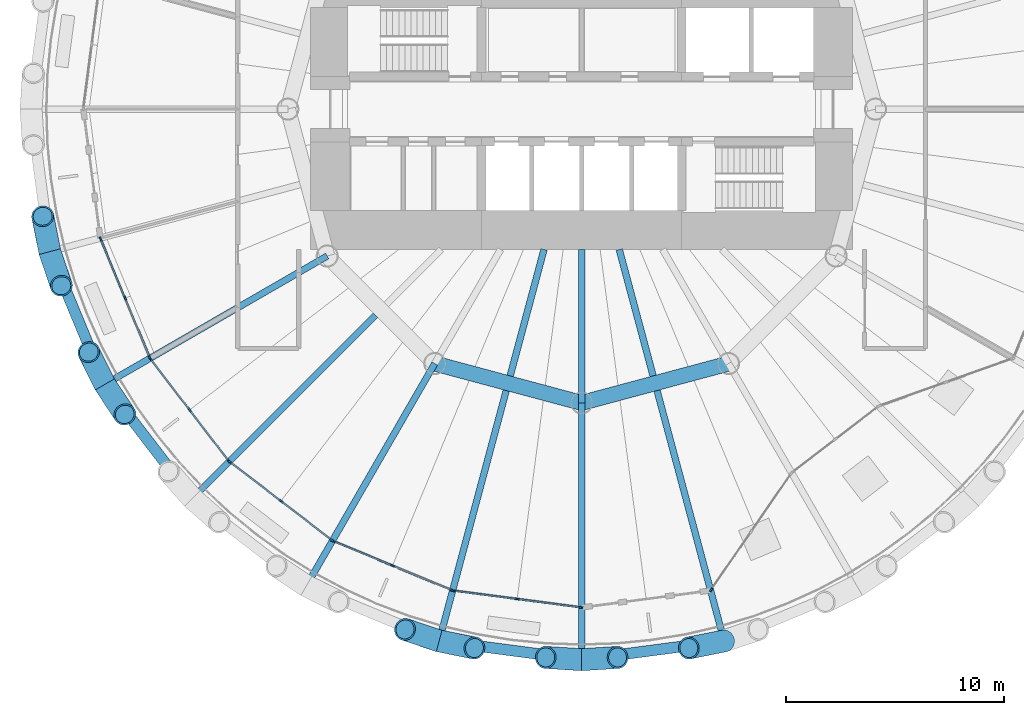
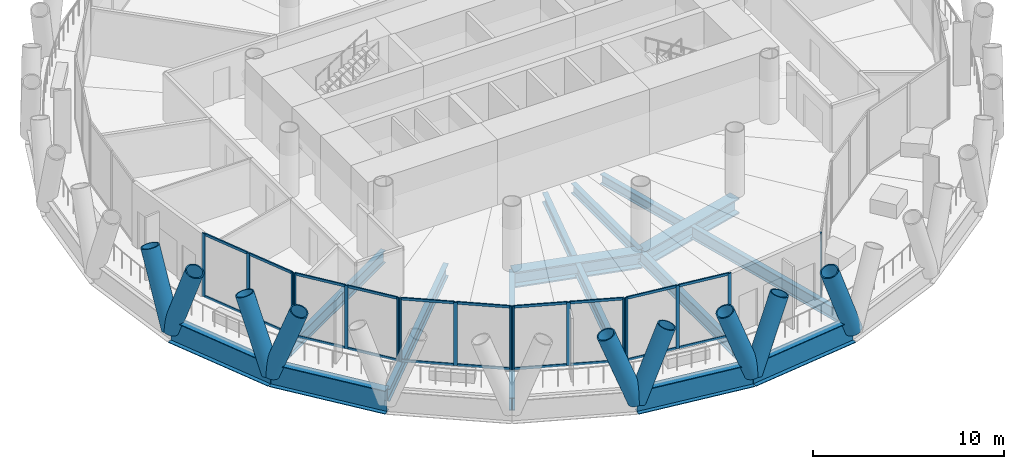
# One storey, part 2 of 15: 45 members, 15 beams, 6 elements without a shape of their own.
"""IFC4 building model written with IfcOpenShell, lengths in metres."""

from ifc_helpers import new_model, si_unit, direction, frame, origin, origin_2d, place, context, subcontext, project, spatial, rectangle, hollow_circle, i_section, extrude, material, material_profile, profile_set, type_object, element, aggregate, save


model = new_model("IFC4")

# Units and contexts
model_context = context("Model", 3, precision=1e-05, world=origin(), true_north=direction((0.0, 1.0)))
body_context = subcontext(model_context, "Body", "Model", "MODEL_VIEW")
ifc_project = project(units=[si_unit("LENGTHUNIT", "METRE"), si_unit("AREAUNIT", "SQUARE_METRE"), si_unit("VOLUMEUNIT", "CUBIC_METRE"), si_unit("PLANEANGLEUNIT", "RADIAN"), si_unit("MASSUNIT", "GRAM", prefix="KILO")], contexts=[model_context])

# Site, building, storey
site_placement = place(None, origin())
site = spatial("IfcSite", under=ifc_project, at=site_placement, CompositionType="ELEMENT")
building_placement = place(site_placement, origin())
building = spatial("IfcBuilding", under=site, at=building_placement, Name="Qaws Media Tower", CompositionType="ELEMENT")
storey_placement = place(building_placement, frame((0.0, 0.0, 110.0)))
storey = spatial("IfcBuildingStorey", under=building, at=storey_placement, Name="L24", CompositionType="ELEMENT", Elevation=110.0)

# Curtain wall, members
ifc_material_1 = material(Name="Aluminium and clear glass", Category="aluminium")
curtain_wall_type_1 = type_object("IfcCurtainWallType", Name="Unitised curtain wall CW-B", PredefinedType="NOTDEFINED", material=ifc_material_1)
curtain_wall_1_placement = place(storey_placement, origin())
curtain_wall_1 = element("IfcCurtainWall", 1, at=curtain_wall_1_placement, inside=storey, type_object=curtain_wall_type_1, Name="CWB curtain wall L24-14", PredefinedType="NOTDEFINED")
ifc_material_2 = material(Name="Aluminium mullion", Category="aluminium")
ifc_material_profile_1 = material_profile(ifc_material_2, rectangle(XDim=0.080078125, YDim=0.199951171875, at=origin_2d()), Name="80x200")
ifc_profile_set_1 = profile_set([ifc_material_profile_1], Name="Aluminium mullion")
member_type_1 = type_object("IfcMemberType", Name="Curtain wall mullion 80x200", PredefinedType="MULLION", material=ifc_profile_set_1)
member_1_placement = place(storey_placement, frame((37.8955078125, 44.0361328125, 0.0), z_axis=(0.0, 0.0, 1.0), x_axis=(0.923879575705, 0.382683328086, 0.0)))
member_1 = element("IfcMember", 2, at=member_1_placement, type_object=member_type_1, Name="CWB mullion 1", PredefinedType="MULLION", context=body_context, shape_type="SweptSolid", body=[
    extrude(rectangle(XDim=0.080078125, YDim=0.199951171875, at=origin_2d()), origin(), (0.0, 0.0, 1.0), 4.0400390625),
])
member_2_placement = place(storey_placement, frame((39.024169921875, 41.3115234375, 0.0), z_axis=(0.0, 0.0, 1.0), x_axis=(0.923879575705, 0.382683328086, 0.0)))
member_2 = element("IfcMember", 3, at=member_2_placement, type_object=member_type_1, Name="CWB mullion 2", PredefinedType="MULLION", context=body_context, shape_type="SweptSolid", body=[
    extrude(rectangle(XDim=0.080078125, YDim=0.199951171875, at=origin_2d()), origin(), (0.0, 0.0, 1.0), 4.0400390625),
])
member_3_placement = place(storey_placement, frame((40.15283203125, 38.5869140625, 0.0), z_axis=(0.0, 0.0, 1.0), x_axis=(0.923879575705, 0.382683328086, 0.0)))
member_3 = element("IfcMember", 4, at=member_3_placement, type_object=member_type_1, Name="CWB mullion 3", PredefinedType="MULLION", context=body_context, shape_type="SweptSolid", body=[
    extrude(rectangle(XDim=0.080078125, YDim=0.199951171875, at=origin_2d()), origin(), (0.0, 0.0, 1.0), 4.0400390625),
])

curtain_wall_2_placement = place(storey_placement, origin())
curtain_wall_2 = element("IfcCurtainWall", 5, at=curtain_wall_2_placement, inside=storey, type_object=curtain_wall_type_1, Name="CWB curtain wall L24-15", PredefinedType="NOTDEFINED")
member_4_placement = place(storey_placement, frame((40.1923828125, 38.518310546875, 0.0), z_axis=(0.0, 0.0, 1.0), x_axis=(0.793353278539, 0.608761509485, 0.0)))
member_4 = element("IfcMember", 6, at=member_4_placement, type_object=member_type_1, Name="CWB mullion 1", PredefinedType="MULLION", context=body_context, shape_type="SweptSolid", body=[
    extrude(rectangle(XDim=0.080078125, YDim=0.199951171875, at=origin_2d()), origin(), (0.0, 0.0, 1.0), 4.0400390625),
])
member_5_placement = place(storey_placement, frame((41.987548828125, 36.1787109375, 0.0), z_axis=(0.0, 0.0, 1.0), x_axis=(0.793353278539, 0.608761509485, 0.0)))
member_5 = element("IfcMember", 7, at=member_5_placement, type_object=member_type_1, Name="CWB mullion 2", PredefinedType="MULLION", context=body_context, shape_type="SweptSolid", body=[
    extrude(rectangle(XDim=0.080078125, YDim=0.199951171875, at=origin_2d()), origin(), (0.0, 0.0, 1.0), 4.0400390625),
])
member_6_placement = place(storey_placement, frame((43.782958984375, 33.8388671875, 0.0), z_axis=(0.0, 0.0, 1.0), x_axis=(0.793353278539, 0.608761509485, 0.0)))
member_6 = element("IfcMember", 8, at=member_6_placement, type_object=member_type_1, Name="CWB mullion 3", PredefinedType="MULLION", context=body_context, shape_type="SweptSolid", body=[
    extrude(rectangle(XDim=0.080078125, YDim=0.199951171875, at=origin_2d()), origin(), (0.0, 0.0, 1.0), 4.0400390625),
])

curtain_wall_3_placement = place(storey_placement, origin())
curtain_wall_3 = element("IfcCurtainWall", 9, at=curtain_wall_3_placement, inside=storey, type_object=curtain_wall_type_1, Name="CWB curtain wall L24-16", PredefinedType="NOTDEFINED")
member_7_placement = place(storey_placement, frame((43.8388671875, 33.782958984375, 0.0), z_axis=(0.0, 0.0, 1.0), x_axis=(0.608761509485, 0.793353278539, 0.0)))
member_7 = element("IfcMember", 10, at=member_7_placement, type_object=member_type_1, Name="CWB mullion 1", PredefinedType="MULLION", context=body_context, shape_type="SweptSolid", body=[
    extrude(rectangle(XDim=0.080078125, YDim=0.199951171875, at=origin_2d()), origin(), (0.0, 0.0, 1.0), 4.0400390625),
])
member_8_placement = place(storey_placement, frame((46.1787109375, 31.987548828125, 0.0), z_axis=(0.0, 0.0, 1.0), x_axis=(0.608761509485, 0.793353278539, 0.0)))
member_8 = element("IfcMember", 11, at=member_8_placement, type_object=member_type_1, Name="CWB mullion 2", PredefinedType="MULLION", context=body_context, shape_type="SweptSolid", body=[
    extrude(rectangle(XDim=0.080078125, YDim=0.199951171875, at=origin_2d()), origin(), (0.0, 0.0, 1.0), 4.0400390625),
])
member_9_placement = place(storey_placement, frame((48.518310546875, 30.1923828125, 0.0), z_axis=(0.0, 0.0, 1.0), x_axis=(0.608761509485, 0.793353278539, 0.0)))
member_9 = element("IfcMember", 12, at=member_9_placement, type_object=member_type_1, Name="CWB mullion 3", PredefinedType="MULLION", context=body_context, shape_type="SweptSolid", body=[
    extrude(rectangle(XDim=0.080078125, YDim=0.199951171875, at=origin_2d()), origin(), (0.0, 0.0, 1.0), 4.0400390625),
])

curtain_wall_4_placement = place(storey_placement, origin())
curtain_wall_4 = element("IfcCurtainWall", 13, at=curtain_wall_4_placement, inside=storey, type_object=curtain_wall_type_1, Name="CWB curtain wall L24-17", PredefinedType="NOTDEFINED")
member_10_placement = place(storey_placement, frame((48.5869140625, 30.15283203125, 0.0), z_axis=(0.0, 0.0, 1.0), x_axis=(0.382683328086, 0.923879575705, 0.0)))
member_10 = element("IfcMember", 14, at=member_10_placement, type_object=member_type_1, Name="CWB mullion 1", PredefinedType="MULLION", context=body_context, shape_type="SweptSolid", body=[
    extrude(rectangle(XDim=0.080078125, YDim=0.199951171875, at=origin_2d()), origin(), (0.0, 0.0, 1.0), 4.0400390625),
])
member_11_placement = place(storey_placement, frame((51.3115234375, 29.024169921875, 0.0), z_axis=(0.0, 0.0, 1.0), x_axis=(0.382683328086, 0.923879575705, 0.0)))
member_11 = element("IfcMember", 15, at=member_11_placement, type_object=member_type_1, Name="CWB mullion 2", PredefinedType="MULLION", context=body_context, shape_type="SweptSolid", body=[
    extrude(rectangle(XDim=0.080078125, YDim=0.199951171875, at=origin_2d()), origin(), (0.0, 0.0, 1.0), 4.0400390625),
])
member_12_placement = place(storey_placement, frame((54.0361328125, 27.8955078125, 0.0), z_axis=(0.0, 0.0, 1.0), x_axis=(0.382683328086, 0.923879575705, 0.0)))
member_12 = element("IfcMember", 16, at=member_12_placement, type_object=member_type_1, Name="CWB mullion 3", PredefinedType="MULLION", context=body_context, shape_type="SweptSolid", body=[
    extrude(rectangle(XDim=0.080078125, YDim=0.199951171875, at=origin_2d()), origin(), (0.0, 0.0, 1.0), 4.0400390625),
])

curtain_wall_5_placement = place(storey_placement, origin())
curtain_wall_5 = element("IfcCurtainWall", 17, at=curtain_wall_5_placement, inside=storey, type_object=curtain_wall_type_1, Name="CWB curtain wall L24-18", PredefinedType="NOTDEFINED")
member_13_placement = place(storey_placement, frame((54.11279296875, 27.875, 0.0), z_axis=(0.0, 0.0, 1.0), x_axis=(0.130526264481, 0.99144485186, 0.0)))
member_13 = element("IfcMember", 18, at=member_13_placement, type_object=member_type_1, Name="CWB mullion 1", PredefinedType="MULLION", context=body_context, shape_type="SweptSolid", body=[
    extrude(rectangle(XDim=0.080078125, YDim=0.199951171875, at=origin_2d()), origin(), (0.0, 0.0, 1.0), 4.0400390625),
])
member_14_placement = place(storey_placement, frame((57.03662109375, 27.490234375, 0.0), z_axis=(0.0, 0.0, 1.0), x_axis=(0.130526264481, 0.99144485186, 0.0)))
member_14 = element("IfcMember", 19, at=member_14_placement, type_object=member_type_1, Name="CWB mullion 2", PredefinedType="MULLION", context=body_context, shape_type="SweptSolid", body=[
    extrude(rectangle(XDim=0.080078125, YDim=0.199951171875, at=origin_2d()), origin(), (0.0, 0.0, 1.0), 4.0400390625),
])
member_15_placement = place(storey_placement, frame((59.96044921875, 27.105224609375, 0.0), z_axis=(0.0, 0.0, 1.0), x_axis=(0.130526264481, 0.99144485186, 0.0)))
member_15 = element("IfcMember", 20, at=member_15_placement, type_object=member_type_1, Name="CWB mullion 3", PredefinedType="MULLION", context=body_context, shape_type="SweptSolid", body=[
    extrude(rectangle(XDim=0.080078125, YDim=0.199951171875, at=origin_2d()), origin(), (0.0, 0.0, 1.0), 4.0400390625),
])

# Curtain wall, member
ifc_material_3 = material(Name="Aluminium and clear glass", Category="aluminium")
curtain_wall_type_2 = type_object("IfcCurtainWallType", Name="Loggia curtain wall CW-G", PredefinedType="NOTDEFINED", material=ifc_material_3)
curtain_wall_6_placement = place(storey_placement, origin())
curtain_wall_6 = element("IfcCurtainWall", 21, at=curtain_wall_6_placement, inside=storey, type_object=curtain_wall_type_2, Name="CWG curtain wall L24-20", PredefinedType="NOTDEFINED")
member_16_placement = place(storey_placement, frame((65.94970703125, 27.913330078125, 0.0), z_axis=(0.0, 0.0, 1.0), x_axis=(-0.823556254037, 0.567234604406, 0.0)))
member_16 = element("IfcMember", 22, at=member_16_placement, type_object=member_type_1, Name="CWG mullion 1", PredefinedType="MULLION", context=body_context, shape_type="SweptSolid", body=[
    extrude(rectangle(XDim=0.080078125, YDim=0.199951171875, at=origin_2d()), origin(), (0.0, 0.0, 1.0), 4.0400390625),
])
aggregate(curtain_wall_6, [member_16])

# Member
ifc_material_4 = material(Name="Aluminium transom", Category="aluminium")
ifc_material_profile_2 = material_profile(ifc_material_4, rectangle(XDim=0.080078125, YDim=0.159912109375, at=origin_2d()), Name="80x160")
ifc_profile_set_2 = profile_set([ifc_material_profile_2], Name="Aluminium transom")
member_type_2 = type_object("IfcMemberType", Name="Curtain wall transom 80x160", PredefinedType="USERDEFINED", material=ifc_profile_set_2)
member_17_placement = place(storey_placement, frame((37.910888671875, 43.9990234375, 0.0400390625), z_axis=(0.382674959875, -0.923883041886, 0.0), x_axis=(0.923883041886, 0.382674959875, 0.0)))
member_17 = element("IfcMember", 23, at=member_17_placement, type_object=member_type_2, Name="CWB transom 1.1", ObjectType="TRANSOM", PredefinedType="USERDEFINED", context=body_context, shape_type="SweptSolid", body=[
    extrude(rectangle(XDim=0.080078125, YDim=0.159912109375, at=origin_2d()), origin(), (0.0, 0.0, 1.0), 2.868896484375),
])

member_18_placement = place(storey_placement, frame((37.910888671875, 43.9990234375, 4.0), z_axis=(0.382674959875, -0.923883041886, 0.0), x_axis=(0.923883041886, 0.382674959875, 0.0)))
member_18 = element("IfcMember", 24, at=member_18_placement, type_object=member_type_2, Name="CWB transom 1.2", ObjectType="TRANSOM", PredefinedType="USERDEFINED", context=body_context, shape_type="SweptSolid", body=[
    extrude(rectangle(XDim=0.080078125, YDim=0.159912109375, at=origin_2d()), origin(), (0.0, 0.0, 1.0), 2.868896484375),
])

member_19_placement = place(storey_placement, frame((39.03955078125, 41.274658203125, 0.0400390625), z_axis=(0.382674959875, -0.923883041886, 0.0), x_axis=(0.923883041886, 0.382674959875, 0.0)))
member_19 = element("IfcMember", 25, at=member_19_placement, type_object=member_type_2, Name="CWB transom 2.1", ObjectType="TRANSOM", PredefinedType="USERDEFINED", context=body_context, shape_type="SweptSolid", body=[
    extrude(rectangle(XDim=0.080078125, YDim=0.159912109375, at=origin_2d()), origin(), (0.0, 0.0, 1.0), 2.868896484375),
])

member_20_placement = place(storey_placement, frame((39.03955078125, 41.274658203125, 4.0), z_axis=(0.382674959875, -0.923883041886, 0.0), x_axis=(0.923883041886, 0.382674959875, 0.0)))
member_20 = element("IfcMember", 26, at=member_20_placement, type_object=member_type_2, Name="CWB transom 2.2", ObjectType="TRANSOM", PredefinedType="USERDEFINED", context=body_context, shape_type="SweptSolid", body=[
    extrude(rectangle(XDim=0.080078125, YDim=0.159912109375, at=origin_2d()), origin(), (0.0, 0.0, 1.0), 2.868896484375),
])

aggregate(curtain_wall_1, [member_1, member_2, member_3, member_17, member_18, member_19, member_20])

member_21_placement = place(storey_placement, frame((40.216796875, 38.486572265625, 0.0400390625), z_axis=(0.608772702822, -0.793344689462, 0.0), x_axis=(0.793344689462, 0.608772702822, 0.0)))
member_21 = element("IfcMember", 27, at=member_21_placement, type_object=member_type_2, Name="CWB transom 1.1", ObjectType="TRANSOM", PredefinedType="USERDEFINED", context=body_context, shape_type="SweptSolid", body=[
    extrude(rectangle(XDim=0.080078125, YDim=0.159912109375, at=origin_2d()), origin(), (0.0, 0.0, 1.0), 2.869140625),
])

member_22_placement = place(storey_placement, frame((40.216796875, 38.486572265625, 4.0), z_axis=(0.608772702822, -0.793344689462, 0.0), x_axis=(0.793344689462, 0.608772702822, 0.0)))
member_22 = element("IfcMember", 28, at=member_22_placement, type_object=member_type_2, Name="CWB transom 1.2", ObjectType="TRANSOM", PredefinedType="USERDEFINED", context=body_context, shape_type="SweptSolid", body=[
    extrude(rectangle(XDim=0.080078125, YDim=0.159912109375, at=origin_2d()), origin(), (0.0, 0.0, 1.0), 2.869140625),
])

member_23_placement = place(storey_placement, frame((42.011962890625, 36.14697265625, 0.0400390625), z_axis=(0.608731606531, -0.793376222993, 0.0), x_axis=(0.793376222993, 0.608731606531, 0.0)))
member_23 = element("IfcMember", 29, at=member_23_placement, type_object=member_type_2, Name="CWB transom 2.1", ObjectType="TRANSOM", PredefinedType="USERDEFINED", context=body_context, shape_type="SweptSolid", body=[
    extrude(rectangle(XDim=0.080078125, YDim=0.159912109375, at=origin_2d()), origin(), (0.0, 0.0, 1.0), 2.869140625),
])

member_24_placement = place(storey_placement, frame((42.011962890625, 36.14697265625, 4.0), z_axis=(0.608731606531, -0.793376222993, 0.0), x_axis=(0.793376222993, 0.608731606531, 0.0)))
member_24 = element("IfcMember", 30, at=member_24_placement, type_object=member_type_2, Name="CWB transom 2.2", ObjectType="TRANSOM", PredefinedType="USERDEFINED", context=body_context, shape_type="SweptSolid", body=[
    extrude(rectangle(XDim=0.080078125, YDim=0.159912109375, at=origin_2d()), origin(), (0.0, 0.0, 1.0), 2.869140625),
])

aggregate(curtain_wall_2, [member_4, member_5, member_6, member_21, member_22, member_23, member_24])

member_25_placement = place(storey_placement, frame((43.87060546875, 33.758544921875, 0.0400390625), z_axis=(0.793376222993, -0.608731606531, 0.0), x_axis=(0.608731606531, 0.793376222993, 0.0)))
member_25 = element("IfcMember", 31, at=member_25_placement, type_object=member_type_2, Name="CWB transom 1.1", ObjectType="TRANSOM", PredefinedType="USERDEFINED", context=body_context, shape_type="SweptSolid", body=[
    extrude(rectangle(XDim=0.080078125, YDim=0.159912109375, at=origin_2d()), origin(), (0.0, 0.0, 1.0), 2.869140625),
])

member_26_placement = place(storey_placement, frame((43.87060546875, 33.758544921875, 4.0), z_axis=(0.793376222993, -0.608731606531, 0.0), x_axis=(0.608731606531, 0.793376222993, 0.0)))
member_26 = element("IfcMember", 32, at=member_26_placement, type_object=member_type_2, Name="CWB transom 1.2", ObjectType="TRANSOM", PredefinedType="USERDEFINED", context=body_context, shape_type="SweptSolid", body=[
    extrude(rectangle(XDim=0.080078125, YDim=0.159912109375, at=origin_2d()), origin(), (0.0, 0.0, 1.0), 2.869140625),
])

member_27_placement = place(storey_placement, frame((46.21044921875, 31.96337890625, 0.0400390625), z_axis=(0.793344689462, -0.608772702822, 0.0), x_axis=(0.608772702822, 0.793344689462, 0.0)))
member_27 = element("IfcMember", 33, at=member_27_placement, type_object=member_type_2, Name="CWB transom 2.1", ObjectType="TRANSOM", PredefinedType="USERDEFINED", context=body_context, shape_type="SweptSolid", body=[
    extrude(rectangle(XDim=0.080078125, YDim=0.159912109375, at=origin_2d()), origin(), (0.0, 0.0, 1.0), 2.869140625),
])

member_28_placement = place(storey_placement, frame((46.21044921875, 31.96337890625, 4.0), z_axis=(0.793344689462, -0.608772702822, 0.0), x_axis=(0.608772702822, 0.793344689462, 0.0)))
member_28 = element("IfcMember", 34, at=member_28_placement, type_object=member_type_2, Name="CWB transom 2.2", ObjectType="TRANSOM", PredefinedType="USERDEFINED", context=body_context, shape_type="SweptSolid", body=[
    extrude(rectangle(XDim=0.080078125, YDim=0.159912109375, at=origin_2d()), origin(), (0.0, 0.0, 1.0), 2.869140625),
])

aggregate(curtain_wall_3, [member_7, member_8, member_9, member_25, member_26, member_27, member_28])

member_29_placement = place(storey_placement, frame((48.6240234375, 30.137451171875, 0.0400390625), z_axis=(0.923883041886, -0.382674959875, 0.0), x_axis=(0.382674959875, 0.923883041886, 0.0)))
member_29 = element("IfcMember", 35, at=member_29_placement, type_object=member_type_2, Name="CWB transom 1.1", ObjectType="TRANSOM", PredefinedType="USERDEFINED", context=body_context, shape_type="SweptSolid", body=[
    extrude(rectangle(XDim=0.080078125, YDim=0.159912109375, at=origin_2d()), origin(), (0.0, 0.0, 1.0), 2.868896484375),
])

member_30_placement = place(storey_placement, frame((48.6240234375, 30.137451171875, 4.0), z_axis=(0.923883041886, -0.382674959875, 0.0), x_axis=(0.382674959875, 0.923883041886, 0.0)))
member_30 = element("IfcMember", 36, at=member_30_placement, type_object=member_type_2, Name="CWB transom 1.2", ObjectType="TRANSOM", PredefinedType="USERDEFINED", context=body_context, shape_type="SweptSolid", body=[
    extrude(rectangle(XDim=0.080078125, YDim=0.159912109375, at=origin_2d()), origin(), (0.0, 0.0, 1.0), 2.868896484375),
])

member_31_placement = place(storey_placement, frame((51.348388671875, 29.0087890625, 0.0400390625), z_axis=(0.923883041886, -0.382674959875, 0.0), x_axis=(0.382674959875, 0.923883041886, 0.0)))
member_31 = element("IfcMember", 37, at=member_31_placement, type_object=member_type_2, Name="CWB transom 2.1", ObjectType="TRANSOM", PredefinedType="USERDEFINED", context=body_context, shape_type="SweptSolid", body=[
    extrude(rectangle(XDim=0.080078125, YDim=0.159912109375, at=origin_2d()), origin(), (0.0, 0.0, 1.0), 2.868896484375),
])

member_32_placement = place(storey_placement, frame((51.348388671875, 29.0087890625, 4.0), z_axis=(0.923883041886, -0.382674959875, 0.0), x_axis=(0.382674959875, 0.923883041886, 0.0)))
member_32 = element("IfcMember", 38, at=member_32_placement, type_object=member_type_2, Name="CWB transom 2.2", ObjectType="TRANSOM", PredefinedType="USERDEFINED", context=body_context, shape_type="SweptSolid", body=[
    extrude(rectangle(XDim=0.080078125, YDim=0.159912109375, at=origin_2d()), origin(), (0.0, 0.0, 1.0), 2.868896484375),
])

aggregate(curtain_wall_4, [member_10, member_11, member_12, member_29, member_30, member_31, member_32])

member_33_placement = place(storey_placement, frame((54.15234375, 27.869873046875, 0.0400390625), z_axis=(0.991443575654, -0.130535957862, 0.0), x_axis=(0.130535957862, 0.991443575654, 0.0)))
member_33 = element("IfcMember", 39, at=member_33_placement, type_object=member_type_2, Name="CWB transom 1.1", ObjectType="TRANSOM", PredefinedType="USERDEFINED", context=body_context, shape_type="SweptSolid", body=[
    extrude(rectangle(XDim=0.080078125, YDim=0.159912109375, at=origin_2d()), origin(), (0.0, 0.0, 1.0), 2.869140625),
])

member_34_placement = place(storey_placement, frame((54.15234375, 27.869873046875, 4.0), z_axis=(0.991443575654, -0.130535957862, 0.0), x_axis=(0.130535957862, 0.991443575654, 0.0)))
member_34 = element("IfcMember", 40, at=member_34_placement, type_object=member_type_2, Name="CWB transom 1.2", ObjectType="TRANSOM", PredefinedType="USERDEFINED", context=body_context, shape_type="SweptSolid", body=[
    extrude(rectangle(XDim=0.080078125, YDim=0.159912109375, at=origin_2d()), origin(), (0.0, 0.0, 1.0), 2.869140625),
])

member_35_placement = place(storey_placement, frame((57.076171875, 27.48486328125, 0.0400390625), z_axis=(0.991443575654, -0.130535957862, 0.0), x_axis=(0.130535957862, 0.991443575654, 0.0)))
member_35 = element("IfcMember", 41, at=member_35_placement, type_object=member_type_2, Name="CWB transom 2.1", ObjectType="TRANSOM", PredefinedType="USERDEFINED", context=body_context, shape_type="SweptSolid", body=[
    extrude(rectangle(XDim=0.080078125, YDim=0.159912109375, at=origin_2d()), origin(), (0.0, 0.0, 1.0), 2.869140625),
])

member_36_placement = place(storey_placement, frame((57.076171875, 27.48486328125, 4.0), z_axis=(0.991443575654, -0.130535957862, 0.0), x_axis=(0.130535957862, 0.991443575654, 0.0)))
member_36 = element("IfcMember", 42, at=member_36_placement, type_object=member_type_2, Name="CWB transom 2.2", ObjectType="TRANSOM", PredefinedType="USERDEFINED", context=body_context, shape_type="SweptSolid", body=[
    extrude(rectangle(XDim=0.080078125, YDim=0.159912109375, at=origin_2d()), origin(), (0.0, 0.0, 1.0), 2.869140625),
])

aggregate(curtain_wall_5, [member_13, member_14, member_15, member_33, member_34, member_35, member_36])

# Members
ifc_material_5 = material(Name="Steel S460", Category="steel")
ifc_material_profile_3 = material_profile(ifc_material_5, hollow_circle(Radius=0.508056640625, WallThickness=0.070068359375, at=origin_2d()), Name="CHS 1016x70")
ifc_profile_set_3 = profile_set([ifc_material_profile_3], Name="Steel S460")
member_type_3 = type_object("IfcMemberType", Name="Diagrid member CHS 1016x70", PredefinedType="USERDEFINED", material=ifc_profile_set_3)
member_37_placement = place(storey_placement, frame((35.56201171875, 43.451904296875, -0.909912109375), z_axis=(0.111318930759, -0.330611563198, 0.937178792939), x_axis=(0.947720004094, 0.319103108477, 0.0)))
element("IfcMember", 43, at=member_37_placement, inside=storey, type_object=member_type_3, Name="DG3 diagrid L24 A14", ObjectType="DIAGRID", PredefinedType="USERDEFINED", context=body_context, shape_type="SweptSolid", body=[
    extrude(hollow_circle(Radius=0.508056640625, WallThickness=0.070068359375, at=origin_2d()), origin(), (0.0, 0.0, 1.0), 4.743896484375),
])
for number, where, z_axis, x_axis, name in (
    (44, (35.56201171875, 43.451904296875, -0.909912109375), (-0.068912694466, 0.341938716978, 0.937192058424), (-0.980290192388, -0.197562999339, 0.0), "DG3 diagrid L24 B14"),
    (45, (38.089599609375, 37.35009765625, -0.909912109375), (0.193048088589, -0.290524249556, 0.937191600428), (0.832889209809, 0.553439756598, 0.0), "DG3 diagrid L24 A15"),
    (46, (38.089599609375, 37.35009765625, -0.909912109375), (-0.155066520795, 0.312449003566, 0.937192613233), (-0.895751161117, -0.4445557978, 0.0), "DG3 diagrid L24 B15"),
    (47, (53.451904296875, 25.56201171875, -0.909912109375), (0.341938716978, -0.068912694466, 0.937192058424), (0.197562999339, 0.980290192388, 0.0), "DG3 diagrid L24 A18"),
):
    element("IfcMember", number, at=place(storey_placement, frame(where, z_axis=z_axis, x_axis=x_axis)), inside=storey, type_object=member_type_3, Name=name, ObjectType="DIAGRID", PredefinedType="USERDEFINED", context=body_context, shape_type="SweptSolid", body=[
        extrude(hollow_circle(Radius=0.508056640625, WallThickness=0.070068359375, at=origin_2d()), origin(), (0.0, 0.0, 1.0), 4.74365234375),
    ])
member_38_placement = place(storey_placement, frame((53.451904296875, 25.56201171875, -0.909912109375), z_axis=(-0.330611563198, 0.111318930759, 0.937178792939), x_axis=(-0.319103108477, -0.947720004094, 0.0)))
element("IfcMember", 48, at=member_38_placement, inside=storey, type_object=member_type_3, Name="DG3 diagrid L24 B18", ObjectType="DIAGRID", PredefinedType="USERDEFINED", context=body_context, shape_type="SweptSolid", body=[
    extrude(hollow_circle(Radius=0.508056640625, WallThickness=0.070068359375, at=origin_2d()), origin(), (0.0, 0.0, 1.0), 4.743896484375),
])
for number, where, z_axis, x_axis, name in (
    (49, (60.0, 24.699951171875, -0.909912109375), (0.348115757593, 0.021924499222, 0.93719514278), (-0.062855947931, 0.998022609869, 0.0), "DG3 diagrid L24 A19"),
    (50, (60.0, 24.699951171875, -0.909912109375), (-0.348115757593, 0.021924499222, 0.93719514278), (-0.062855947931, -0.998022609869, 0.0), "DG3 diagrid L24 B19"),
    (51, (66.548095703125, 25.56201171875, -0.909912109375), (-0.341938716978, -0.068912694466, 0.937192058424), (0.197562999339, -0.980290192388, 0.0), "DG3 diagrid L24 B20"),
):
    element("IfcMember", number, at=place(storey_placement, frame(where, z_axis=z_axis, x_axis=x_axis)), inside=storey, type_object=member_type_3, Name=name, ObjectType="DIAGRID", PredefinedType="USERDEFINED", context=body_context, shape_type="SweptSolid", body=[
        extrude(hollow_circle(Radius=0.508056640625, WallThickness=0.070068359375, at=origin_2d()), origin(), (0.0, 0.0, 1.0), 4.74365234375),
    ])

# Beams
ifc_material_6 = material(Name="Steel S460", Category="steel")
ifc_material_profile_4 = material_profile(ifc_material_6, i_section(OverallWidth=0.5, OverallDepth=1.5, WebThickness=0.02001953125, FlangeThickness=0.0400390625, at=origin_2d()), Name="PG 1500x500")
ifc_profile_set_4 = profile_set([ifc_material_profile_4], Name="Steel S460")
beam_type_1 = type_object("IfcBeamType", Name="Edge ring beam PG 1500x500", PredefinedType="BEAM", material=ifc_profile_set_4)
beam_1_placement = place(storey_placement, frame((35.56201171875, 43.451904296875, -0.909912109375), z_axis=(0.38270111505, -0.923872207905, 0.0), x_axis=(0.923872207905, 0.38270111505, 0.0)))
element("IfcBeam", 52, at=beam_1_placement, inside=storey, type_object=beam_type_1, Name="RB4 edge ring beam L24-14", PredefinedType="BEAM", context=body_context, shape_type="SweptSolid", body=[
    extrude(i_section(OverallWidth=0.5, OverallDepth=1.5, WebThickness=0.02001953125, FlangeThickness=0.0400390625, at=origin_2d()), origin(), (0.0, 0.0, 1.0), 6.6044921875),
])
beam_2_placement = place(storey_placement, frame((38.089599609375, 37.35009765625, -0.909912109375), z_axis=(0.608734925432, -0.793373676497, 0.0), x_axis=(0.793373676497, 0.608734925432, 0.0)))
element("IfcBeam", 53, at=beam_2_placement, inside=storey, type_object=beam_type_1, Name="RB4 edge ring beam L24-15", PredefinedType="BEAM", context=body_context, shape_type="SweptSolid", body=[
    extrude(i_section(OverallWidth=0.5, OverallDepth=1.5, WebThickness=0.02001953125, FlangeThickness=0.0400390625, at=origin_2d()), origin(), (0.0, 0.0, 1.0), 6.604736328125),
])
for number, where, z_axis, x_axis, name in (
    (54, (53.451904296875, 25.56201171875, -0.909912109375), (0.991445108389, -0.130524315936, 0.0), (0.130524315936, 0.991445108389, 0.0), "RB4 edge ring beam L24-18"),
    (55, (60.0, 24.699951171875, -0.909912109375), (0.991445108389, 0.130524315936, 0.0), (-0.130524315936, 0.991445108389, 0.0), "RB4 edge ring beam L24-19"),
):
    element("IfcBeam", number, at=place(storey_placement, frame(where, z_axis=z_axis, x_axis=x_axis)), inside=storey, type_object=beam_type_1, Name=name, PredefinedType="BEAM", context=body_context, shape_type="SweptSolid", body=[
        extrude(i_section(OverallWidth=0.5, OverallDepth=1.5, WebThickness=0.02001953125, FlangeThickness=0.0400390625, at=origin_2d()), origin(), (0.0, 0.0, 1.0), 6.6044921875),
    ])
ifc_material_7 = material(Name="Steel S460", Category="steel")
ifc_material_profile_5 = material_profile(ifc_material_7, i_section(OverallWidth=0.699951171875, OverallDepth=1.0, WebThickness=0.034912109375, FlangeThickness=0.090087890625, at=origin_2d()), Name="PG 1000x700")
ifc_profile_set_5 = profile_set([ifc_material_profile_5], Name="Steel S460")
beam_type_2 = type_object("IfcBeamType", Name="Inner ring girder PG 1000x700", PredefinedType="BEAM", material=ifc_profile_set_5)
for number, where, z_axis, x_axis, name in (
    (56, (53.25, 38.30859375, -0.659912109375), (0.965928090778, -0.258810593767, 0.0), (0.258810593767, 0.965928090778, 0.0), "B3 inner ring beam L24 I09-I10"),
    (57, (60.0, 36.5, -0.659912109375), (0.965928090778, 0.258810593767, 0.0), (-0.258810593767, 0.965928090778, 0.0), "B3 inner ring beam L24 I10-I11"),
):
    element("IfcBeam", number, at=place(storey_placement, frame(where, z_axis=z_axis, x_axis=x_axis)), inside=storey, type_object=beam_type_2, Name=name, PredefinedType="BEAM", context=body_context, shape_type="SweptSolid", body=[
        extrude(i_section(OverallWidth=0.699951171875, OverallDepth=1.0, WebThickness=0.034912109375, FlangeThickness=0.090087890625, at=origin_2d()), origin(), (0.0, 0.0, 1.0), 6.988037109375),
    ])
ifc_material_8 = material(Name="Steel S355", Category="steel")
ifc_material_profile_6 = material_profile(ifc_material_8, i_section(OverallWidth=0.304931640625, OverallDepth=0.6201171875, WebThickness=0.02099609375, FlangeThickness=0.0400390625, FilletRadius=0.027099609375, at=origin_2d()), Name="HE 600 M")
ifc_profile_set_6 = profile_set([ifc_material_profile_6], Name="Steel S355")
beam_type_3 = type_object("IfcBeamType", Name="Radial beam HE 600 M, core side", PredefinedType="BEAM", material=ifc_profile_set_6)
beam_3_placement = place(storey_placement, frame((58.271728515625, 43.550048828125, -0.469970703125), z_axis=(-0.258819977482, -0.965925576458, 0.0), x_axis=(0.965925576458, -0.258819977482, 0.0)))
element("IfcBeam", 58, at=beam_3_placement, inside=storey, type_object=beam_type_3, Name="B2 radial beam L24 18", PredefinedType="BEAM", context=body_context, shape_type="SweptSolid", body=[
    extrude(i_section(OverallWidth=0.304931640625, OverallDepth=0.6201171875, WebThickness=0.02099609375, FlangeThickness=0.0400390625, FilletRadius=0.027099609375, at=origin_2d()), origin(), (0.0, 0.0, 1.0), 6.012451171875),
])
beam_4_placement = place(storey_placement, frame((60.0, 43.550048828125, -0.469970703125), z_axis=(0.0, -1.0, 0.0), x_axis=(1.0, 0.0, 0.0)))
element("IfcBeam", 59, at=beam_4_placement, inside=storey, type_object=beam_type_3, Name="B2 radial beam L24 19", PredefinedType="BEAM", context=body_context, shape_type="SweptSolid", body=[
    extrude(i_section(OverallWidth=0.304931640625, OverallDepth=0.6201171875, WebThickness=0.02099609375, FlangeThickness=0.0400390625, FilletRadius=0.027099609375, at=origin_2d()), origin(), (0.0, 0.0, 1.0), 7.050048828125),
])
beam_5_placement = place(storey_placement, frame((61.728271484375, 43.550048828125, -0.469970703125), z_axis=(0.258819977482, -0.965925576458, 0.0), x_axis=(0.965925576458, 0.258819977482, 0.0)))
element("IfcBeam", 60, at=beam_5_placement, inside=storey, type_object=beam_type_3, Name="B2 radial beam L24 20", PredefinedType="BEAM", context=body_context, shape_type="SweptSolid", body=[
    extrude(i_section(OverallWidth=0.304931640625, OverallDepth=0.6201171875, WebThickness=0.02099609375, FlangeThickness=0.0400390625, FilletRadius=0.027099609375, at=origin_2d()), origin(), (0.0, 0.0, 1.0), 6.012451171875),
])
ifc_material_9 = material(Name="Steel S355", Category="steel")
ifc_material_profile_7 = material_profile(ifc_material_9, i_section(OverallWidth=0.300048828125, OverallDepth=0.800048828125, WebThickness=0.017578125, FlangeThickness=0.032958984375, FilletRadius=0.030029296875, at=origin_2d()), Name="HE 800 B")
ifc_profile_set_7 = profile_set([ifc_material_profile_7], Name="Steel S355")
beam_type_4 = type_object("IfcBeamType", Name="Radial beam HE 800 B", PredefinedType="BEAM", material=ifc_profile_set_7)
beam_6_placement = place(storey_placement, frame((48.30859375, 43.25, -0.56005859375), z_axis=(-0.866026749593, -0.499997668984, 0.0), x_axis=(0.499997668984, -0.866026749593, 0.0)))
element("IfcBeam", 61, at=beam_6_placement, inside=storey, type_object=beam_type_4, Name="B1 radial beam L24 15", PredefinedType="BEAM", context=body_context, shape_type="SweptSolid", body=[
    extrude(i_section(OverallWidth=0.300048828125, OverallDepth=0.800048828125, WebThickness=0.017578125, FlangeThickness=0.032958984375, FilletRadius=0.030029296875, at=origin_2d()), origin(), (0.0, 0.0, 1.0), 11.7998046875),
])
beam_7_placement = place(storey_placement, frame((50.53173828125, 40.53173828125, -0.56005859375), z_axis=(-0.707106781187, -0.707106781187, 0.0), x_axis=(0.707106781187, -0.707106781187, 0.0)))
element("IfcBeam", 62, at=beam_7_placement, inside=storey, type_object=beam_type_4, Name="B1 radial beam L24 16", PredefinedType="BEAM", context=body_context, shape_type="SweptSolid", body=[
    extrude(i_section(OverallWidth=0.300048828125, OverallDepth=0.800048828125, WebThickness=0.017578125, FlangeThickness=0.032958984375, FilletRadius=0.030029296875, at=origin_2d()), origin(), (0.0, 0.0, 1.0), 11.909912109375),
])
beam_8_placement = place(storey_placement, frame((53.25, 38.30859375, -0.56005859375), z_axis=(-0.499997668984, -0.866026749593, 0.0), x_axis=(0.866026749593, -0.499997668984, 0.0)))
element("IfcBeam", 63, at=beam_8_placement, inside=storey, type_object=beam_type_4, Name="B1 radial beam L24 17", PredefinedType="BEAM", context=body_context, shape_type="SweptSolid", body=[
    extrude(i_section(OverallWidth=0.300048828125, OverallDepth=0.800048828125, WebThickness=0.017578125, FlangeThickness=0.032958984375, FilletRadius=0.030029296875, at=origin_2d()), origin(), (0.0, 0.0, 1.0), 11.7998046875),
])
beam_9_placement = place(storey_placement, frame((56.534423828125, 37.066162109375, -0.56005859375), z_axis=(-0.258818396808, -0.965925999999, 0.0), x_axis=(0.965925999999, -0.258818396808, 0.0)))
element("IfcBeam", 64, at=beam_9_placement, inside=storey, type_object=beam_type_4, Name="B1 radial beam L24 18", PredefinedType="BEAM", context=body_context, shape_type="SweptSolid", body=[
    extrude(i_section(OverallWidth=0.300048828125, OverallDepth=0.800048828125, WebThickness=0.017578125, FlangeThickness=0.032958984375, FilletRadius=0.030029296875, at=origin_2d()), origin(), (0.0, 0.0, 1.0), 11.909912109375),
])
beam_10_placement = place(storey_placement, frame((60.0, 36.5, -0.56005859375), z_axis=(0.0, -1.0, 0.0), x_axis=(1.0, 0.0, 0.0)))
element("IfcBeam", 65, at=beam_10_placement, inside=storey, type_object=beam_type_4, Name="B1 radial beam L24 19", PredefinedType="BEAM", context=body_context, shape_type="SweptSolid", body=[
    extrude(i_section(OverallWidth=0.300048828125, OverallDepth=0.800048828125, WebThickness=0.017578125, FlangeThickness=0.032958984375, FilletRadius=0.030029296875, at=origin_2d()), origin(), (0.0, 0.0, 1.0), 11.800048828125),
])
beam_11_placement = place(storey_placement, frame((63.465576171875, 37.066162109375, -0.56005859375), z_axis=(0.258818396808, -0.965925999999, 0.0), x_axis=(0.965925999999, 0.258818396808, 0.0)))
element("IfcBeam", 66, at=beam_11_placement, inside=storey, type_object=beam_type_4, Name="B1 radial beam L24 20", PredefinedType="BEAM", context=body_context, shape_type="SweptSolid", body=[
    extrude(i_section(OverallWidth=0.300048828125, OverallDepth=0.800048828125, WebThickness=0.017578125, FlangeThickness=0.032958984375, FilletRadius=0.030029296875, at=origin_2d()), origin(), (0.0, 0.0, 1.0), 11.909912109375),
])

save(model, "model.ifc")
